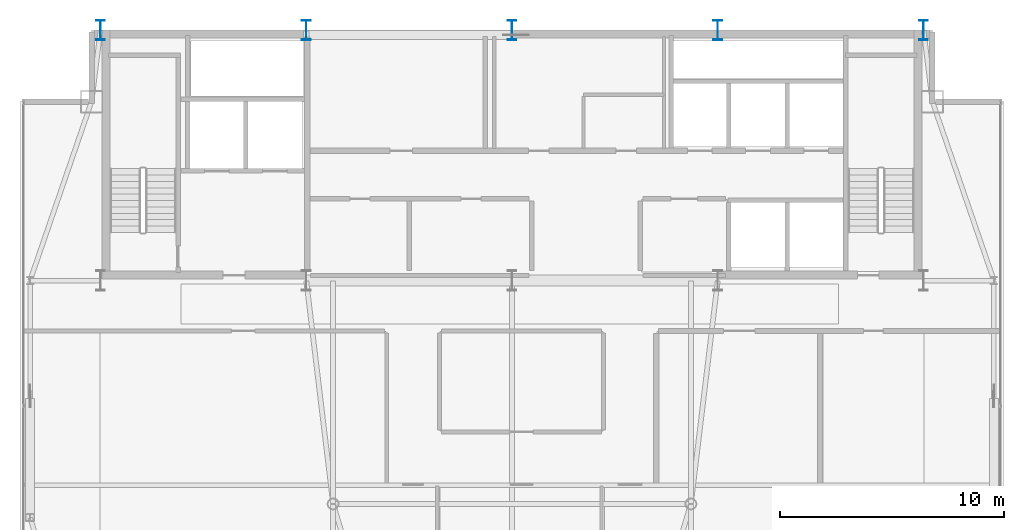
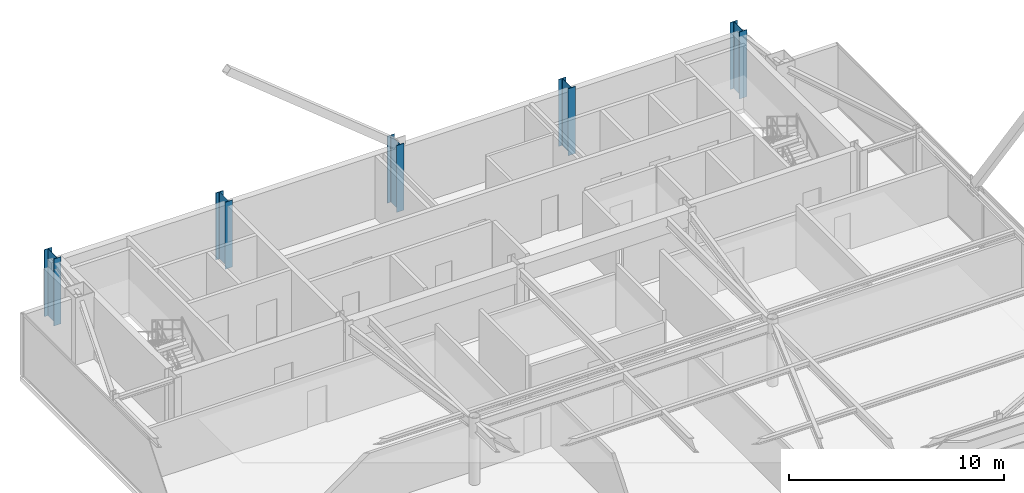
# One storey, part 3 of 24: 5 columns.
"""IFC4 building model written with IfcOpenShell, lengths in metres."""

from ifc_helpers import new_model, si_unit, direction, frame, origin, origin_2d, place, context, subcontext, project, spatial, i_section, extrude, source, transform, mapped, material, material_profile, profile_set, type_object, type_shapes, element, save


model = new_model("IFC4")

# Units and contexts
model_context = context("Model", 3, precision=1e-05, world=origin(), true_north=direction((0.0, 1.0)))
body_context = subcontext(model_context, "Body", "Model", "MODEL_VIEW")
ifc_project = project(units=[si_unit("LENGTHUNIT", "METRE"), si_unit("AREAUNIT", "SQUARE_METRE"), si_unit("VOLUMEUNIT", "CUBIC_METRE"), si_unit("PLANEANGLEUNIT", "RADIAN"), si_unit("MASSUNIT", "GRAM", prefix="KILO")], contexts=[model_context])

# Site, building, storey
site_placement = place(None, origin())
site = spatial("IfcSite", under=ifc_project, at=site_placement, CompositionType="ELEMENT")
building_placement = place(site_placement, origin())
building = spatial("IfcBuilding", under=site, at=building_placement, Name="Varnel Quay Broadcast Tower", CompositionType="ELEMENT")
storey_placement = place(building_placement, frame((0.0, 0.0, 277.39990234375)))
storey = spatial("IfcBuildingStorey", under=building, at=storey_placement, Name="L69", CompositionType="ELEMENT", Elevation=277.39990234375)

# Columns
ifc_material = material(Name="Structural Steel CSA G40.21 350WT", Category="steel")
ifc_material_profile = material_profile(ifc_material, i_section(OverallWidth=0.39990234375, OverallDepth=0.89990234375, WebThickness=0.01611328125, FlangeThickness=0.028076171875, FilletRadius=0.01611328125, at=origin_2d()), Name="WWF900X309")
ifc_profile_set = profile_set([ifc_material_profile], Name="Structural Steel CSA G40.21 350WT")
column_type = type_object("IfcColumnType", Name="Col_WWF900X309", PredefinedType="COLUMN", material=ifc_profile_set)
shared_shape = source(origin(), body_context, "Body", "SweptSolid", [
    extrude(i_section(OverallWidth=0.39990234375, OverallDepth=0.89990234375, WebThickness=0.01611328125, FlangeThickness=0.028076171875, FilletRadius=0.01611328125, at=origin_2d()), origin(), (0.0, 0.0, 1.0), 3.800048828125),
])
type_shapes(column_type, [shared_shape])
for number, where, z_axis, x_axis, name in (
    (1, (15.60009765625, 46.800048828125, 0.0), (0.0, 0.0, 1.0), (1.0, 0.0, 0.0), "L69 Column CC-N1"),
    (2, (24.800048828125, 46.800048828125, 0.0), (0.0, 0.0, 1.0), (1.0, 0.0, 0.0), "L69 Column CC-N2"),
    (3, (34.0, 46.800048828125, 0.0), (0.0, 0.0, 1.0), (1.0, 0.0, 0.0), "L69 Column CC-N3"),
    (4, (43.199951171875, 46.800048828125, 0.0), (0.0, 0.0, 1.0), (1.0, 0.0, 0.0), "L69 Column CC-N4"),
    (5, (52.39990234375, 46.800048828125, 0.0), (0.0, 0.0, 1.0), (1.0, 0.0, 0.0), "L69 Column CC-N5"),
):
    element("IfcColumn", number, at=place(storey_placement, frame(where, z_axis=z_axis, x_axis=x_axis)), inside=storey, type_object=column_type, Name=name, PredefinedType="COLUMN", context=body_context, shape_type="MappedRepresentation", body=[
        mapped(shared_shape, transform((0.0, 0.0, 0.0), x_axis=(1.0, 0.0, 0.0), y_axis=(0.0, 1.0, 0.0), z_axis=(0.0, 0.0, 1.0), scale=1.0)),
    ])

save(model, "model.ifc")
